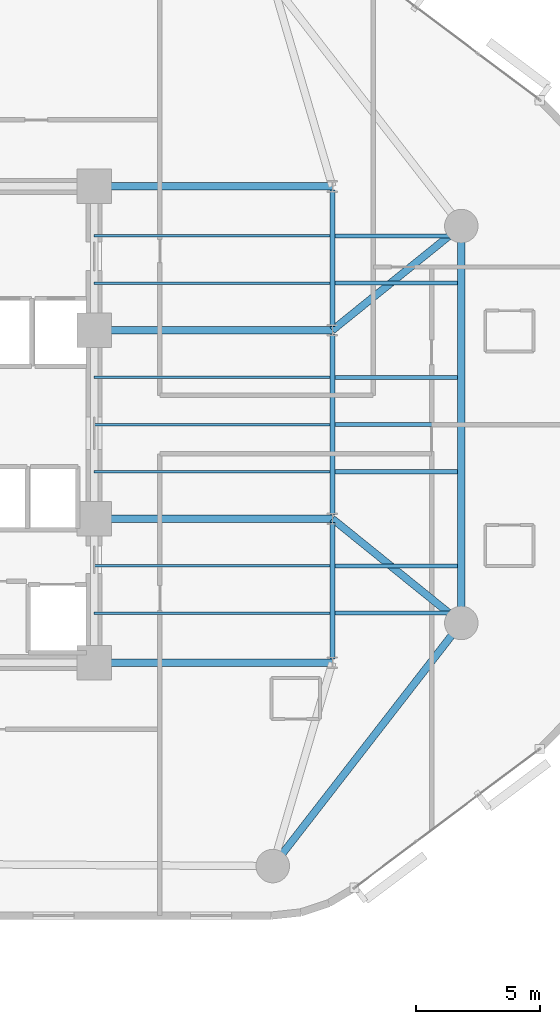
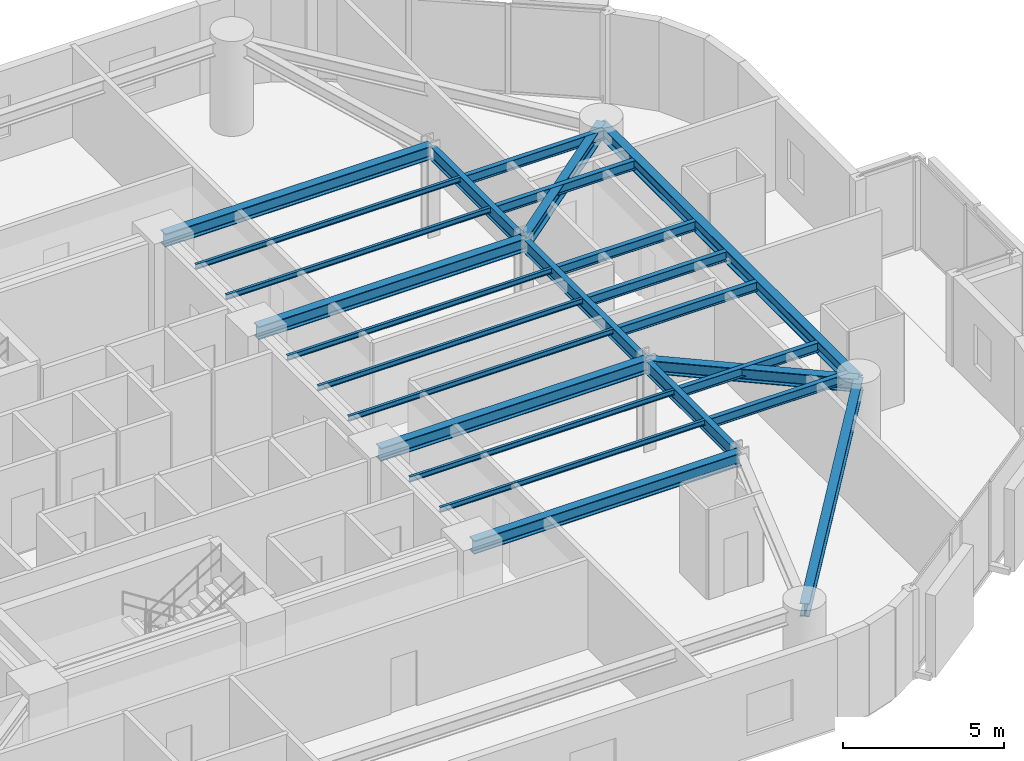
# One storey, part 3 of 14: 25 beams.
"""IFC4 building model written with IfcOpenShell, lengths in metres."""

from ifc_helpers import new_model, si_unit, direction, frame, origin, origin_2d, place, context, subcontext, project, spatial, i_section, extrude, material, material_profile, profile_set, type_object, element, save


model = new_model("IFC4")

# Units and contexts
model_context = context("Model", 3, precision=1e-05, world=origin(), true_north=direction((0.0, 1.0)))
body_context = subcontext(model_context, "Body", "Model", "MODEL_VIEW")
ifc_project = project(units=[si_unit("LENGTHUNIT", "METRE"), si_unit("AREAUNIT", "SQUARE_METRE"), si_unit("VOLUMEUNIT", "CUBIC_METRE"), si_unit("PLANEANGLEUNIT", "RADIAN"), si_unit("MASSUNIT", "GRAM", prefix="KILO")], contexts=[model_context])

# Site, building, storey
site_placement = place(None, origin())
site = spatial("IfcSite", under=ifc_project, at=site_placement, CompositionType="ELEMENT")
building_placement = place(site_placement, origin())
building = spatial("IfcBuilding", under=site, at=building_placement, Name="An Khanh Terracotta Commons", CompositionType="ELEMENT")
storey_placement = place(building_placement, frame((0.0, 0.0, 104.300048828125)))
storey = spatial("IfcBuildingStorey", under=building, at=storey_placement, Name="L27", CompositionType="ELEMENT", Elevation=104.300048828125)

# Beams
ifc_material = material(Name="Steel S355J2", Category="steel")
ifc_material_profile_1 = material_profile(ifc_material, i_section(OverallWidth=0.300048828125, OverallDepth=0.5, WebThickness=0.014404296875, FlangeThickness=0.028076171875, FilletRadius=0.027099609375, at=origin_2d()), Name="HEB500")
ifc_profile_set_1 = profile_set([ifc_material_profile_1], Name="Steel S355J2")
beam_type_1 = type_object("IfcBeamType", Name="BM-HEB500", PredefinedType="BEAM", material=ifc_profile_set_1)
beam_1_placement = place(storey_placement, frame((44.39990234375, 6.199951171875, 3.14990234375), z_axis=(0.612826529795, 0.790217466511, 0.0), x_axis=(-0.790217466511, 0.612826529795, 0.0)))
element("IfcBeam", 1, at=beam_1_placement, inside=storey, type_object=beam_type_1, Name="L27 Perimeter Ring Spandrel 2", PredefinedType="BEAM", context=body_context, shape_type="SweptSolid", body=[
    extrude(i_section(OverallWidth=0.300048828125, OverallDepth=0.5, WebThickness=0.014404296875, FlangeThickness=0.028076171875, FilletRadius=0.027099609375, at=origin_2d()), origin(), (0.0, 0.0, 1.0), 12.401611328125),
])
beam_2_placement = place(storey_placement, frame((52.0, 16.0, 3.14990234375), z_axis=(0.0, 1.0, 0.0), x_axis=(-1.0, 0.0, 0.0)))
element("IfcBeam", 2, at=beam_2_placement, inside=storey, type_object=beam_type_1, Name="L27 Perimeter Ring Spandrel 3", PredefinedType="BEAM", context=body_context, shape_type="SweptSolid", body=[
    extrude(i_section(OverallWidth=0.300048828125, OverallDepth=0.5, WebThickness=0.014404296875, FlangeThickness=0.028076171875, FilletRadius=0.027099609375, at=origin_2d()), origin(), (0.0, 0.0, 1.0), 16.0),
])
for number, where, z_axis, x_axis, name in (
    (3, (37.199951171875, 14.39990234375, 3.14990234375), (1.0, 0.0, 0.0), (0.0, 1.0, 0.0), "L27 East Primary Floor Girder 1"),
    (4, (37.199951171875, 20.199951171875, 3.14990234375), (1.0, 0.0, 0.0), (0.0, 1.0, 0.0), "L27 East Primary Floor Girder 2"),
    (5, (37.199951171875, 27.800048828125, 3.14990234375), (1.0, 0.0, 0.0), (0.0, 1.0, 0.0), "L27 East Primary Floor Girder 3"),
    (6, (37.199951171875, 33.60009765625, 3.14990234375), (1.0, 0.0, 0.0), (0.0, 1.0, 0.0), "L27 East Primary Floor Girder 4"),
):
    element("IfcBeam", number, at=place(storey_placement, frame(where, z_axis=z_axis, x_axis=x_axis)), inside=storey, type_object=beam_type_1, Name=name, PredefinedType="BEAM", context=body_context, shape_type="SweptSolid", body=[
        extrude(i_section(OverallWidth=0.300048828125, OverallDepth=0.5, WebThickness=0.014404296875, FlangeThickness=0.028076171875, FilletRadius=0.027099609375, at=origin_2d()), origin(), (0.0, 0.0, 1.0), 9.60009765625),
    ])
for number, where, z_axis, x_axis, name in (
    (7, (52.0, 16.0, 3.14990234375), (-0.777941866883, 0.628336256913, 0.0), (-0.628336256913, -0.777941866883, 0.0), "L27 Mega-Column Tie Girder 3"),
    (8, (52.0, 32.0, 3.14990234375), (-0.777941866883, -0.628336256913, 0.0), (0.628336256913, -0.777941866883, 0.0), "L27 Mega-Column Tie Girder 4"),
):
    element("IfcBeam", number, at=place(storey_placement, frame(where, z_axis=z_axis, x_axis=x_axis)), inside=storey, type_object=beam_type_1, Name=name, PredefinedType="BEAM", context=body_context, shape_type="SweptSolid", body=[
        extrude(i_section(OverallWidth=0.300048828125, OverallDepth=0.5, WebThickness=0.014404296875, FlangeThickness=0.028076171875, FilletRadius=0.027099609375, at=origin_2d()), origin(), (0.0, 0.0, 1.0), 6.684326171875),
    ])
ifc_material_profile_2 = material_profile(ifc_material, i_section(OverallWidth=0.10009765625, OverallDepth=0.199951171875, WebThickness=0.005615234375, FlangeThickness=0.008544921875, FilletRadius=0.011962890625, at=origin_2d()), Name="IPE200")
ifc_profile_set_2 = profile_set([ifc_material_profile_2], Name="Steel S355J2")
beam_type_2 = type_object("IfcBeamType", Name="BM-IPE200", PredefinedType="JOIST", material=ifc_profile_set_2)
for number, where, z_axis, x_axis, name in (
    (9, (37.199951171875, 16.39990234375, 3.300048828125), (1.0, 0.0, 0.0), (0.0, 1.0, 0.0), "L27 Inboard Composite Joist 1"),
    (10, (37.199951171875, 18.300048828125, 3.300048828125), (1.0, 0.0, 0.0), (0.0, 1.0, 0.0), "L27 Inboard Composite Joist 2"),
    (11, (37.199951171875, 22.10009765625, 3.300048828125), (1.0, 0.0, 0.0), (0.0, 1.0, 0.0), "L27 Inboard Composite Joist 3"),
    (12, (37.199951171875, 24.0, 3.300048828125), (1.0, 0.0, 0.0), (0.0, 1.0, 0.0), "L27 Inboard Composite Joist 4"),
    (13, (37.199951171875, 25.89990234375, 3.300048828125), (1.0, 0.0, 0.0), (0.0, 1.0, 0.0), "L27 Inboard Composite Joist 5"),
    (14, (37.199951171875, 29.699951171875, 3.300048828125), (1.0, 0.0, 0.0), (0.0, 1.0, 0.0), "L27 Inboard Composite Joist 6"),
    (15, (37.199951171875, 31.60009765625, 3.300048828125), (1.0, 0.0, 0.0), (0.0, 1.0, 0.0), "L27 Inboard Composite Joist 7"),
):
    element("IfcBeam", number, at=place(storey_placement, frame(where, z_axis=z_axis, x_axis=x_axis)), inside=storey, type_object=beam_type_2, Name=name, PredefinedType="JOIST", context=body_context, shape_type="SweptSolid", body=[
        extrude(i_section(OverallWidth=0.10009765625, OverallDepth=0.199951171875, WebThickness=0.005615234375, FlangeThickness=0.008544921875, FilletRadius=0.011962890625, at=origin_2d()), origin(), (0.0, 0.0, 1.0), 9.5),
    ])
ifc_material_profile_3 = material_profile(ifc_material, i_section(OverallWidth=0.169921875, OverallDepth=0.360107421875, WebThickness=0.008056640625, FlangeThickness=0.0126953125, FilletRadius=0.01806640625, at=origin_2d()), Name="IPE360")
ifc_profile_set_3 = profile_set([ifc_material_profile_3], Name="Steel S355J2")
beam_type_3 = type_object("IfcBeamType", Name="BM-IPE360", PredefinedType="JOIST", material=ifc_profile_set_3)
for number, where, z_axis, x_axis, name in (
    (16, (46.89990234375, 16.39990234375, 3.219970703125), (1.0, 0.0, 0.0), (0.0, 1.0, 0.0), "L27 Riverfront Composite Joist 1"),
    (17, (46.89990234375, 18.300048828125, 3.219970703125), (1.0, 0.0, 0.0), (0.0, 1.0, 0.0), "L27 Riverfront Composite Joist 2"),
    (18, (46.89990234375, 22.10009765625, 3.219970703125), (1.0, 0.0, 0.0), (0.0, 1.0, 0.0), "L27 Riverfront Composite Joist 3"),
    (19, (46.89990234375, 24.0, 3.219970703125), (1.0, 0.0, 0.0), (0.0, 1.0, 0.0), "L27 Riverfront Composite Joist 4"),
    (20, (46.89990234375, 25.89990234375, 3.219970703125), (1.0, 0.0, 0.0), (0.0, 1.0, 0.0), "L27 Riverfront Composite Joist 5"),
    (21, (46.89990234375, 29.699951171875, 3.219970703125), (1.0, 0.0, 0.0), (0.0, 1.0, 0.0), "L27 Riverfront Composite Joist 6"),
    (22, (46.89990234375, 31.60009765625, 3.219970703125), (1.0, 0.0, 0.0), (0.0, 1.0, 0.0), "L27 Riverfront Composite Joist 7"),
):
    element("IfcBeam", number, at=place(storey_placement, frame(where, z_axis=z_axis, x_axis=x_axis)), inside=storey, type_object=beam_type_3, Name=name, PredefinedType="JOIST", context=body_context, shape_type="SweptSolid", body=[
        extrude(i_section(OverallWidth=0.169921875, OverallDepth=0.360107421875, WebThickness=0.008056640625, FlangeThickness=0.0126953125, FilletRadius=0.01806640625, at=origin_2d()), origin(), (0.0, 0.0, 1.0), 4.9501953125),
    ])
ifc_material_profile_4 = material_profile(ifc_material, i_section(OverallWidth=0.199951171875, OverallDepth=0.5, WebThickness=0.01025390625, FlangeThickness=0.01611328125, FilletRadius=0.02099609375, at=origin_2d()), Name="IPE500")
ifc_profile_set_4 = profile_set([ifc_material_profile_4], Name="Steel S355J2")
beam_type_4 = type_object("IfcBeamType", Name="BM-IPE500", PredefinedType="BEAM", material=ifc_profile_set_4)
beam_3_placement = place(storey_placement, frame((46.800048828125, 14.550048828125, 3.14990234375), z_axis=(0.0, 1.0, 0.0), x_axis=(-1.0, 0.0, 0.0)))
element("IfcBeam", 23, at=beam_3_placement, inside=storey, type_object=beam_type_4, Name="L27 East Spine Girder 1", PredefinedType="BEAM", context=body_context, shape_type="SweptSolid", body=[
    extrude(i_section(OverallWidth=0.199951171875, OverallDepth=0.5, WebThickness=0.01025390625, FlangeThickness=0.01611328125, FilletRadius=0.02099609375, at=origin_2d()), origin(), (0.0, 0.0, 1.0), 5.5),
])
beam_4_placement = place(storey_placement, frame((46.800048828125, 20.35009765625, 3.14990234375), z_axis=(0.0, 1.0, 0.0), x_axis=(-1.0, 0.0, 0.0)))
element("IfcBeam", 24, at=beam_4_placement, inside=storey, type_object=beam_type_4, Name="L27 East Spine Girder 2", PredefinedType="BEAM", context=body_context, shape_type="SweptSolid", body=[
    extrude(i_section(OverallWidth=0.199951171875, OverallDepth=0.5, WebThickness=0.01025390625, FlangeThickness=0.01611328125, FilletRadius=0.02099609375, at=origin_2d()), origin(), (0.0, 0.0, 1.0), 7.2998046875),
])
beam_5_placement = place(storey_placement, frame((46.800048828125, 27.949951171875, 3.14990234375), z_axis=(0.0, 1.0, 0.0), x_axis=(-1.0, 0.0, 0.0)))
element("IfcBeam", 25, at=beam_5_placement, inside=storey, type_object=beam_type_4, Name="L27 East Spine Girder 3", PredefinedType="BEAM", context=body_context, shape_type="SweptSolid", body=[
    extrude(i_section(OverallWidth=0.199951171875, OverallDepth=0.5, WebThickness=0.01025390625, FlangeThickness=0.01611328125, FilletRadius=0.02099609375, at=origin_2d()), origin(), (0.0, 0.0, 1.0), 5.5),
])

save(model, "model.ifc")
